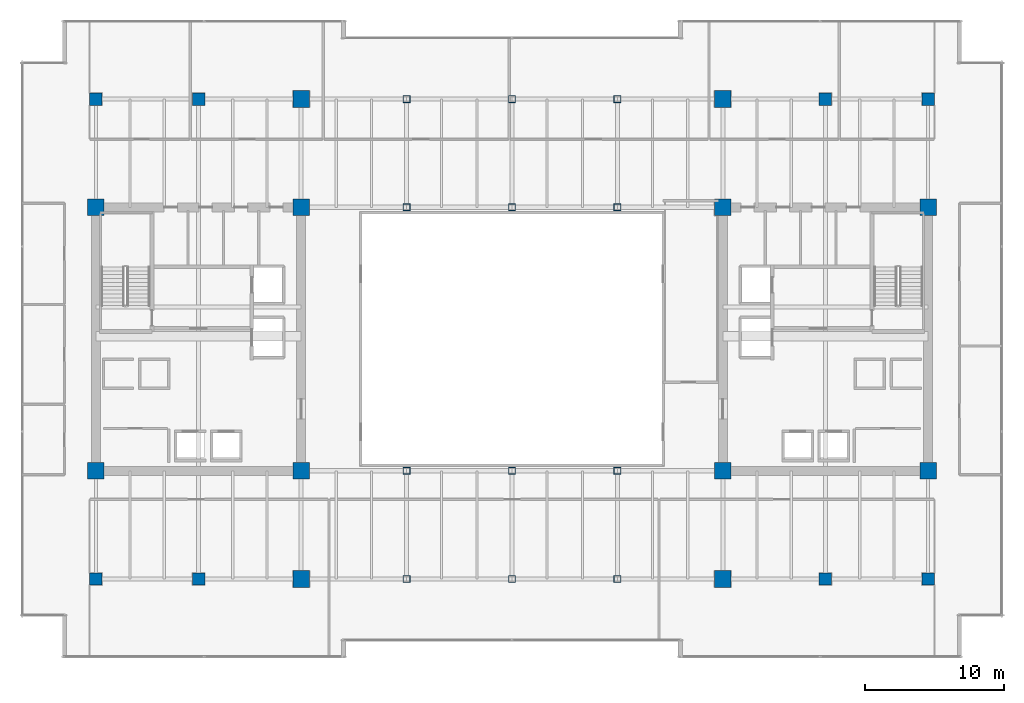
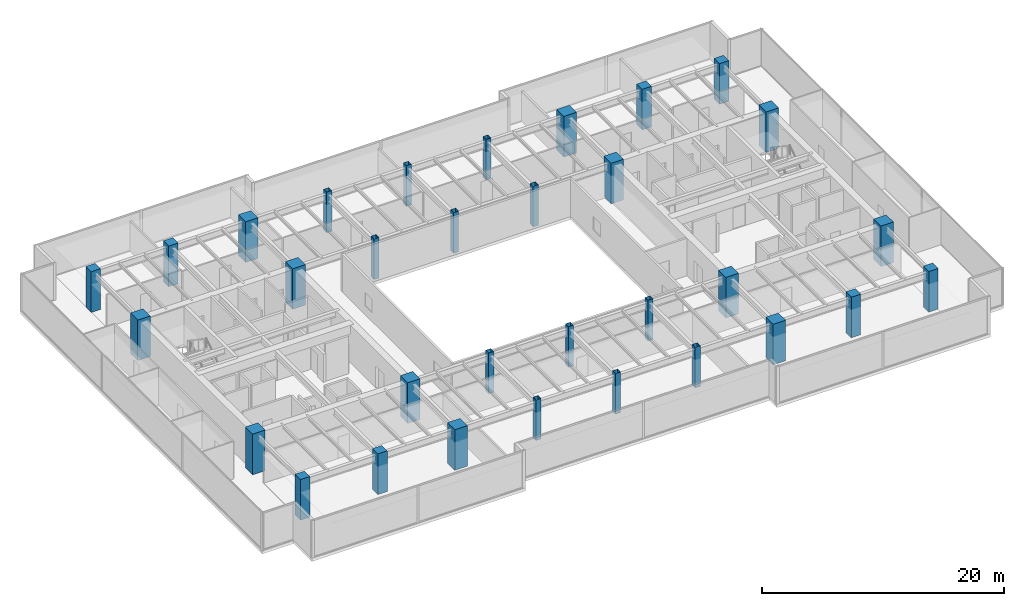
# One storey, part 1 of 33: 32 columns.
"""IFC4 building model written with IfcOpenShell, lengths in metres."""

from ifc_helpers import new_model, si_unit, direction, frame, origin, origin_2d, place, context, subcontext, project, spatial, rectangle, hollow_rectangle, extrude, source, transform, mapped, material, material_profile, profile_set, type_object, type_shapes, element, save


model = new_model("IFC4")

# Units and contexts
model_context = context("Model", 3, precision=1e-05, world=origin(), true_north=direction((0.0, 1.0)))
body_context = subcontext(model_context, "Body", "Model", "MODEL_VIEW")
ifc_project = project(units=[si_unit("LENGTHUNIT", "METRE"), si_unit("AREAUNIT", "SQUARE_METRE"), si_unit("VOLUMEUNIT", "CUBIC_METRE"), si_unit("PLANEANGLEUNIT", "RADIAN"), si_unit("MASSUNIT", "GRAM", prefix="KILO")], contexts=[model_context])

# Site, building, storey
site_placement = place(None, origin())
site = spatial("IfcSite", under=ifc_project, at=site_placement, CompositionType="ELEMENT")
building_placement = place(site_placement, origin())
building = spatial("IfcBuilding", under=site, at=building_placement, Name="Haelvirn Gate Laboratories", CompositionType="ELEMENT")
storey_placement = place(building_placement, frame((0.0, 0.0, 137.89990234375)))
storey = spatial("IfcBuildingStorey", under=building, at=storey_placement, Name="L33", CompositionType="ELEMENT", Elevation=137.89990234375)

# Columns
ifc_material_1 = material(Name="Concrete C50/60", Category="concrete")
ifc_material_profile_1 = material_profile(ifc_material_1, rectangle(XDim=0.89990234375, YDim=0.89990234375, at=origin_2d()), Name="RC-900x900")
ifc_profile_set_1 = profile_set([ifc_material_profile_1], Name="Concrete C50/60")
column_type_1 = type_object("IfcColumnType", Name="COL-RC-900", PredefinedType="COLUMN", material=ifc_profile_set_1)
shared_shape_1 = source(origin(), body_context, "Body", "SweptSolid", [
    extrude(rectangle(XDim=0.89990234375, YDim=0.89990234375, at=origin_2d()), origin(), (0.0, 0.0, 1.0), 4.10009765625),
])
type_shapes(column_type_1, [shared_shape_1])
for number, where, z_axis, x_axis, name in (
    (1, (14.800048828125, 7.0, 0.0), (0.0, 0.0, 1.0), (1.0, 0.0, 0.0), "L33 Column 3B"),
    (2, (14.800048828125, 41.60009765625, 0.0), (0.0, 0.0, 1.0), (1.0, 0.0, 0.0), "L33 Column 3G"),
    (3, (60.0, 7.0, 0.0), (0.0, 0.0, 1.0), (1.0, 0.0, 0.0), "L33 Column 9B"),
    (4, (60.0, 41.60009765625, 0.0), (0.0, 0.0, 1.0), (1.0, 0.0, 0.0), "L33 Column 9G"),
    (5, (7.39990234375, 7.0, 0.0), (0.0, 0.0, 1.0), (1.0, 0.0, 0.0), "L33 Column 2B"),
    (6, (7.39990234375, 41.60009765625, 0.0), (0.0, 0.0, 1.0), (1.0, 0.0, 0.0), "L33 Column 2G"),
    (7, (67.39990234375, 7.0, 0.0), (0.0, 0.0, 1.0), (1.0, 0.0, 0.0), "L33 Column 10B"),
    (8, (67.39990234375, 41.60009765625, 0.0), (0.0, 0.0, 1.0), (1.0, 0.0, 0.0), "L33 Column 10G"),
):
    element("IfcColumn", number, at=place(storey_placement, frame(where, z_axis=z_axis, x_axis=x_axis)), inside=storey, type_object=column_type_1, Name=name, PredefinedType="COLUMN", context=body_context, shape_type="MappedRepresentation", body=[
        mapped(shared_shape_1, transform((0.0, 0.0, 0.0), scale=1.0)),
    ])
ifc_material_2 = material(Name="Concrete C60/75", Category="concrete")
ifc_material_profile_2 = material_profile(ifc_material_2, rectangle(XDim=1.199951171875, YDim=1.199951171875, at=origin_2d()), Name="SRC-1200x1200")
ifc_profile_set_2 = profile_set([ifc_material_profile_2], Name="Concrete C60/75")
column_type_2 = type_object("IfcColumnType", Name="COL-SRC-1200", PredefinedType="COLUMN", material=ifc_profile_set_2)
shared_shape_2 = source(origin(), body_context, "Body", "SweptSolid", [
    extrude(rectangle(XDim=1.199951171875, YDim=1.199951171875, at=origin_2d()), origin(), (0.0, 0.0, 1.0), 4.10009765625),
])
type_shapes(column_type_2, [shared_shape_2])
for number, where, z_axis, x_axis, name in (
    (9, (22.199951171875, 7.0, 0.0), (0.0, 0.0, 1.0), (1.0, 0.0, 0.0), "L33 Column 4B"),
    (10, (7.39990234375, 14.800048828125, 0.0), (0.0, 0.0, 1.0), (1.0, 0.0, 0.0), "L33 Column 2C"),
    (11, (22.199951171875, 14.800048828125, 0.0), (0.0, 0.0, 1.0), (1.0, 0.0, 0.0), "L33 Column 4C"),
    (12, (7.39990234375, 33.800048828125, 0.0), (0.0, 0.0, 1.0), (1.0, 0.0, 0.0), "L33 Column 2F"),
    (13, (22.199951171875, 33.800048828125, 0.0), (0.0, 0.0, 1.0), (1.0, 0.0, 0.0), "L33 Column 4F"),
    (14, (22.199951171875, 41.60009765625, 0.0), (0.0, 0.0, 1.0), (1.0, 0.0, 0.0), "L33 Column 4G"),
    (15, (52.60009765625, 7.0, 0.0), (0.0, 0.0, 1.0), (1.0, 0.0, 0.0), "L33 Column 8B"),
    (16, (52.60009765625, 14.800048828125, 0.0), (0.0, 0.0, 1.0), (1.0, 0.0, 0.0), "L33 Column 8C"),
    (17, (67.39990234375, 14.800048828125, 0.0), (0.0, 0.0, 1.0), (1.0, 0.0, 0.0), "L33 Column 10C"),
    (18, (52.60009765625, 33.800048828125, 0.0), (0.0, 0.0, 1.0), (1.0, 0.0, 0.0), "L33 Column 8F"),
    (19, (67.39990234375, 33.800048828125, 0.0), (0.0, 0.0, 1.0), (1.0, 0.0, 0.0), "L33 Column 10F"),
    (20, (52.60009765625, 41.60009765625, 0.0), (0.0, 0.0, 1.0), (1.0, 0.0, 0.0), "L33 Column 8G"),
):
    element("IfcColumn", number, at=place(storey_placement, frame(where, z_axis=z_axis, x_axis=x_axis)), inside=storey, type_object=column_type_2, Name=name, PredefinedType="COLUMN", context=body_context, shape_type="MappedRepresentation", body=[
        mapped(shared_shape_2, transform((0.0, 0.0, 0.0), scale=1.0)),
    ])
ifc_material_3 = material(Name="Steel SM355", Category="steel")
ifc_material_profile_3 = material_profile(ifc_material_3, hollow_rectangle(XDim=0.5, YDim=0.5, WallThickness=0.02197265625, at=origin_2d()), Name="BOX-500x500x22")
ifc_profile_set_3 = profile_set([ifc_material_profile_3], Name="Steel SM355")
column_type_3 = type_object("IfcColumnType", Name="COL-BOX-500", PredefinedType="COLUMN", material=ifc_profile_set_3)
shared_shape_3 = source(origin(), body_context, "Body", "SweptSolid", [
    extrude(hollow_rectangle(XDim=0.5, YDim=0.5, WallThickness=0.02197265625, at=origin_2d()), origin(), (0.0, 0.0, 1.0), 4.10009765625),
])
type_shapes(column_type_3, [shared_shape_3])
for number, where, z_axis, x_axis, name in (
    (21, (29.800048828125, 7.0, 0.0), (0.0, 0.0, 1.0), (1.0, 0.0, 0.0), "L33 Column 5B"),
    (22, (29.800048828125, 14.800048828125, 0.0), (0.0, 0.0, 1.0), (1.0, 0.0, 0.0), "L33 Column 5C"),
    (23, (29.800048828125, 33.800048828125, 0.0), (0.0, 0.0, 1.0), (1.0, 0.0, 0.0), "L33 Column 5F"),
    (24, (29.800048828125, 41.60009765625, 0.0), (0.0, 0.0, 1.0), (1.0, 0.0, 0.0), "L33 Column 5G"),
    (25, (37.39990234375, 7.0, 0.0), (0.0, 0.0, 1.0), (1.0, 0.0, 0.0), "L33 Column 6B"),
    (26, (37.39990234375, 14.800048828125, 0.0), (0.0, 0.0, 1.0), (1.0, 0.0, 0.0), "L33 Column 6C"),
    (27, (37.39990234375, 33.800048828125, 0.0), (0.0, 0.0, 1.0), (1.0, 0.0, 0.0), "L33 Column 6F"),
    (28, (37.39990234375, 41.60009765625, 0.0), (0.0, 0.0, 1.0), (1.0, 0.0, 0.0), "L33 Column 6G"),
    (29, (45.0, 7.0, 0.0), (0.0, 0.0, 1.0), (1.0, 0.0, 0.0), "L33 Column 7B"),
    (30, (45.0, 14.800048828125, 0.0), (0.0, 0.0, 1.0), (1.0, 0.0, 0.0), "L33 Column 7C"),
    (31, (45.0, 33.800048828125, 0.0), (0.0, 0.0, 1.0), (1.0, 0.0, 0.0), "L33 Column 7F"),
    (32, (45.0, 41.60009765625, 0.0), (0.0, 0.0, 1.0), (1.0, 0.0, 0.0), "L33 Column 7G"),
):
    element("IfcColumn", number, at=place(storey_placement, frame(where, z_axis=z_axis, x_axis=x_axis)), inside=storey, type_object=column_type_3, Name=name, PredefinedType="COLUMN", context=body_context, shape_type="MappedRepresentation", body=[
        mapped(shared_shape_3, transform((0.0, 0.0, 0.0), scale=1.0)),
    ])

save(model, "model.ifc")
